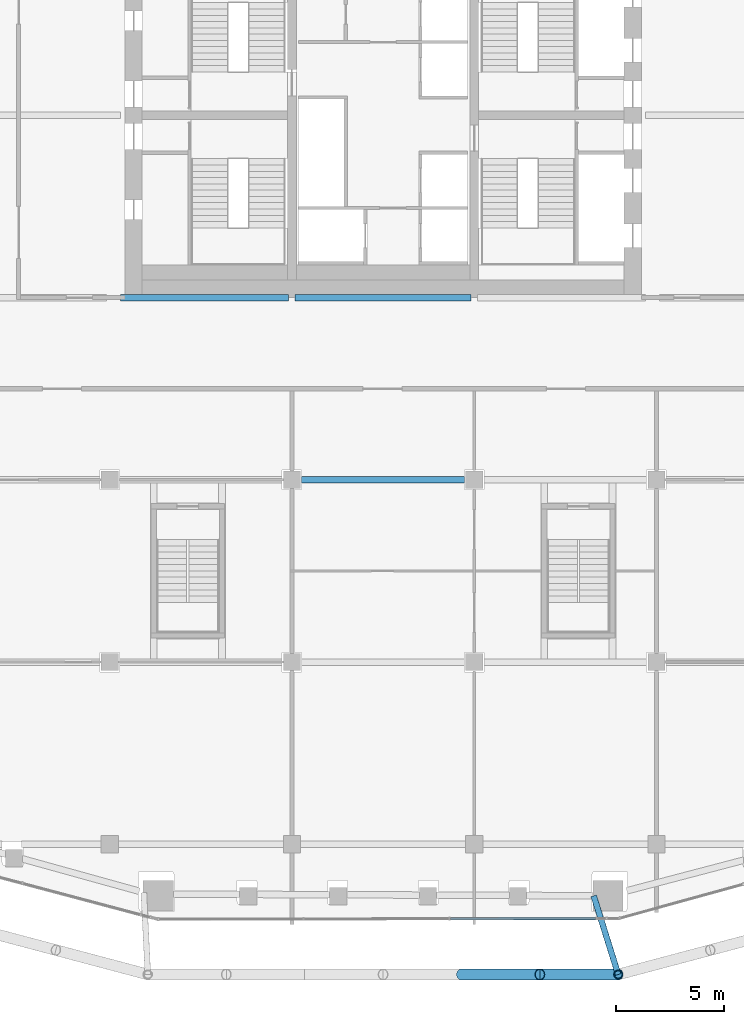
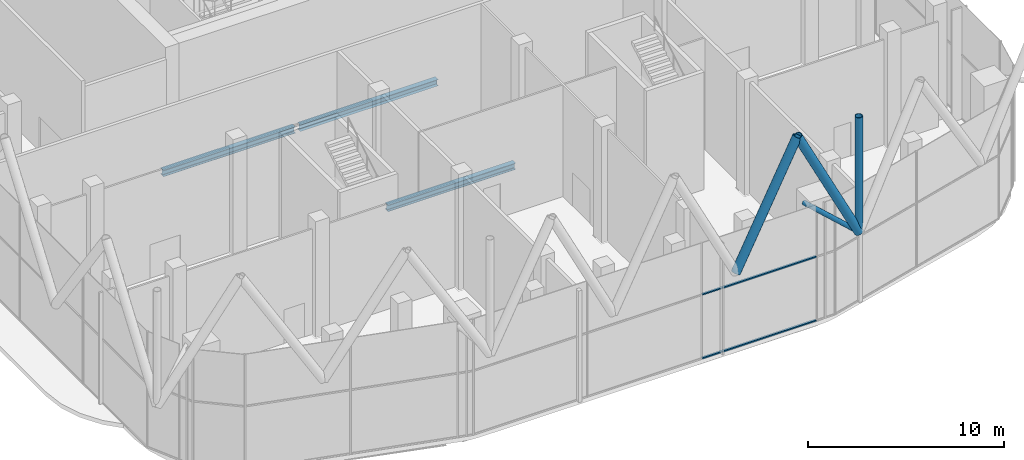
# One storey, part 5 of 25: 6 members, 3 beams, 1 element without a shape of its own.
"""IFC4 building model written with IfcOpenShell, lengths in metres."""

from ifc_helpers import new_model, si_unit, direction, frame, origin, origin_2d, place, context, subcontext, project, spatial, rectangle, hollow_circle, i_section, extrude, material, layer, layer_set, material_profile, profile_set, type_object, element, aggregate, save


model = new_model("IFC4")

# Units and contexts
model_context = context("Model", 3, precision=1e-05, world=origin(), true_north=direction((0.0, 1.0)))
body_context = subcontext(model_context, "Body", "Model", "MODEL_VIEW")
ifc_project = project(units=[si_unit("LENGTHUNIT", "METRE"), si_unit("AREAUNIT", "SQUARE_METRE"), si_unit("VOLUMEUNIT", "CUBIC_METRE"), si_unit("PLANEANGLEUNIT", "RADIAN"), si_unit("MASSUNIT", "GRAM", prefix="KILO")], contexts=[model_context])

# Site, building, storey
site_placement = place(None, origin())
site = spatial("IfcSite", under=ifc_project, at=site_placement, CompositionType="ELEMENT")
building_placement = place(site_placement, origin())
building = spatial("IfcBuilding", under=site, at=building_placement, Name="Marenta Gate Hotel Tower", CompositionType="ELEMENT")
storey_placement = place(building_placement, frame((0.0, 0.0, 180.5)))
storey = spatial("IfcBuildingStorey", under=building, at=storey_placement, Name="L41", CompositionType="ELEMENT", Elevation=180.5)

# Members
ifc_material_1 = material(Name="Steel S355J2W", Category="steel")
ifc_material_profile_1 = material_profile(ifc_material_1, hollow_circle(Radius=0.203125, WallThickness=0.02490234375, at=origin_2d()), Name="CHS 406.4x25")
ifc_profile_set_1 = profile_set([ifc_material_profile_1], Name="Steel S355J2W")
member_type_1 = type_object("IfcMemberType", Name="Diagrid corner post Z3 CHS 406.4x25", PredefinedType="POST", material=ifc_profile_set_1)
member_1_placement = place(storey_placement, frame((10.839111328125, -31.199951171875, 6.739990234375), z_axis=(0.0, 0.0, 1.0), x_axis=(1.0, 0.0, 0.0)))
element("IfcMember", 1, at=member_1_placement, inside=storey, type_object=member_type_1, Name="L41-DR-3", PredefinedType="POST", context=body_context, shape_type="SweptSolid", body=[
    extrude(hollow_circle(Radius=0.203125, WallThickness=0.02490234375, at=origin_2d()), origin(), (0.0, 0.0, 1.0), 7.199951171875),
])
ifc_material_2 = material(Name="Steel S355J2W", Category="steel")
ifc_material_profile_2 = material_profile(ifc_material_2, hollow_circle(Radius=0.25390625, WallThickness=0.02490234375, at=origin_2d()), Name="CHS 508x25")
ifc_profile_set_2 = profile_set([ifc_material_profile_2], Name="Steel S355J2W")
member_type_2 = type_object("IfcMemberType", Name="Diagrid diagonal Z3 CHS 508x25", PredefinedType="BRACE", material=ifc_profile_set_2)
for number, where, z_axis, x_axis, name in (
    (2, (10.839111328125, -31.199951171875, 6.739990234375), (-0.44851025603, 0.0, 0.893777685018), (0.0, -1.0, 0.0), "L41-DG-15"),
    (3, (3.613037109375, -31.199951171875, 6.739990234375), (0.44851025603, 0.0, 0.893777685018), (0.0, 1.0, 0.0), "L41-DG-16"),
):
    element("IfcMember", number, at=place(storey_placement, frame(where, z_axis=z_axis, x_axis=x_axis)), inside=storey, type_object=member_type_2, Name=name, PredefinedType="BRACE", context=body_context, shape_type="SweptSolid", body=[
        extrude(hollow_circle(Radius=0.25390625, WallThickness=0.02490234375, at=origin_2d()), origin(), (0.0, 0.0, 1.0), 8.0556640625),
    ])
ifc_material_3 = material(Name="Steel S355J2W", Category="steel")
ifc_material_profile_3 = material_profile(ifc_material_3, hollow_circle(Radius=0.136474609375, WallThickness=0.012451171875, at=origin_2d()), Name="CHS 273x12.5")
ifc_profile_set_3 = profile_set([ifc_material_profile_3], Name="Steel S355J2W")
member_type_3 = type_object("IfcMemberType", Name="Floor tie CHS 273x12.5", PredefinedType="STRUT", material=ifc_profile_set_3)
member_2_placement = place(storey_placement, frame((10.839111328125, -31.199951171875, 6.739990234375), z_axis=(-0.297897789013, 0.954597772521, 0.0), x_axis=(-0.954597772521, -0.297897789013, 0.0)))
element("IfcMember", 4, at=member_2_placement, inside=storey, type_object=member_type_3, Name="L41-DR-9", PredefinedType="STRUT", context=body_context, shape_type="SweptSolid", body=[
    extrude(hollow_circle(Radius=0.136474609375, WallThickness=0.012451171875, at=origin_2d()), origin(), (0.0, 0.0, 1.0), 3.796142578125),
])

# Beams
ifc_material_4 = material(Name="Steel S355", Category="steel")
ifc_material_profile_4 = material_profile(ifc_material_4, i_section(OverallWidth=0.300048828125, OverallDepth=0.39990234375, WebThickness=0.013427734375, FlangeThickness=0.02392578125, FilletRadius=0.027099609375, at=origin_2d()), Name="HEB 400")
ifc_profile_set_4 = profile_set([ifc_material_profile_4], Name="Steel S355")
beam_type = type_object("IfcBeamType", Name="Girder HEB 400", PredefinedType="BEAM", material=ifc_profile_set_4)
beam_1_placement = place(storey_placement, frame((-3.75, -8.39990234375, -0.4599609375), z_axis=(1.0, 0.0, 0.0), x_axis=(0.0, 1.0, 0.0)))
element("IfcBeam", 5, at=beam_1_placement, inside=storey, type_object=beam_type, Name="L41-GD-18", PredefinedType="BEAM", context=body_context, shape_type="SweptSolid", body=[
    extrude(i_section(OverallWidth=0.300048828125, OverallDepth=0.39990234375, WebThickness=0.013427734375, FlangeThickness=0.02392578125, FilletRadius=0.027099609375, at=origin_2d()), origin(), (0.0, 0.0, 1.0), 7.5),
])
beam_2_placement = place(storey_placement, frame((-12.10009765625, 0.0, -0.4599609375), z_axis=(1.0, 0.0, 0.0), x_axis=(0.0, 1.0, 0.0)))
element("IfcBeam", 6, at=beam_2_placement, inside=storey, type_object=beam_type, Name="L41-GD-24", PredefinedType="BEAM", context=body_context, shape_type="SweptSolid", body=[
    extrude(i_section(OverallWidth=0.300048828125, OverallDepth=0.39990234375, WebThickness=0.013427734375, FlangeThickness=0.02392578125, FilletRadius=0.027099609375, at=origin_2d()), origin(), (0.0, 0.0, 1.0), 7.74853515625),
])
beam_3_placement = place(storey_placement, frame((-4.048583984375, 0.0, -0.4599609375), z_axis=(1.0, 0.0, 0.0), x_axis=(0.0, 1.0, 0.0)))
element("IfcBeam", 7, at=beam_3_placement, inside=storey, type_object=beam_type, Name="L41-GD-25", PredefinedType="BEAM", context=body_context, shape_type="SweptSolid", body=[
    extrude(i_section(OverallWidth=0.300048828125, OverallDepth=0.39990234375, WebThickness=0.013427734375, FlangeThickness=0.02392578125, FilletRadius=0.027099609375, at=origin_2d()), origin(), (0.0, 0.0, 1.0), 8.09716796875),
])

# Curtain wall, members
ifc_material_5 = material(Name="Tinted insulated glass in bronze anodised frame", Category="glass")
ifc_layer = layer(ifc_material_5, 0.1298828125)
ifc_layer_set = layer_set([ifc_layer], Name="Tinted insulated glass in bronze anodised frame")
curtain_wall_type = type_object("IfcCurtainWallType", Name="Sky lobby glazing CW2", PredefinedType="NOTDEFINED", material=ifc_layer_set)
curtain_wall_placement = place(storey_placement, origin())
curtain_wall = element("IfcCurtainWall", 8, at=curtain_wall_placement, inside=storey, type_object=curtain_wall_type, Name="CW2 run G12", PredefinedType="NOTDEFINED")
ifc_material_6 = material(Name="Bronze anodised aluminium", Category="aluminium")
ifc_material_profile_5 = material_profile(ifc_material_6, rectangle(XDim=0.1298828125, YDim=0.080078125, at=origin_2d()), Name="Transom CW2 80x130 bronze anodised aluminium")
ifc_profile_set_5 = profile_set([ifc_material_profile_5], Name="Bronze anodised aluminium")
member_type_4 = type_object("IfcMemberType", Name="Transom CW2 80x130 bronze anodised aluminium", PredefinedType="USERDEFINED", material=ifc_profile_set_5)
member_3_placement = place(storey_placement, frame((3.10205078125, -28.63037109375, 0.0400390625), z_axis=(0.999998653336, 0.001641135646, 0.0), x_axis=(-0.001641135646, 0.999998653336, 0.0)))
member_3 = element("IfcMember", 9, at=member_3_placement, type_object=member_type_4, Name="CW2 transom 3.1", ObjectType="TRANSOM", PredefinedType="USERDEFINED", context=body_context, shape_type="SweptSolid", body=[
    extrude(rectangle(XDim=0.1298828125, YDim=0.080078125, at=origin_2d()), origin(), (0.0, 0.0, 1.0), 6.6943359375),
])
member_4_placement = place(storey_placement, frame((3.10205078125, -28.63037109375, 4.0), z_axis=(0.999998653336, 0.001641135646, 0.0), x_axis=(-0.001641135646, 0.999998653336, 0.0)))
member_4 = element("IfcMember", 10, at=member_4_placement, type_object=member_type_4, Name="CW2 transom 3.2", ObjectType="TRANSOM", PredefinedType="USERDEFINED", context=body_context, shape_type="SweptSolid", body=[
    extrude(rectangle(XDim=0.1298828125, YDim=0.080078125, at=origin_2d()), origin(), (0.0, 0.0, 1.0), 6.6943359375),
])
aggregate(curtain_wall, [member_3, member_4])

save(model, "model.ifc")
